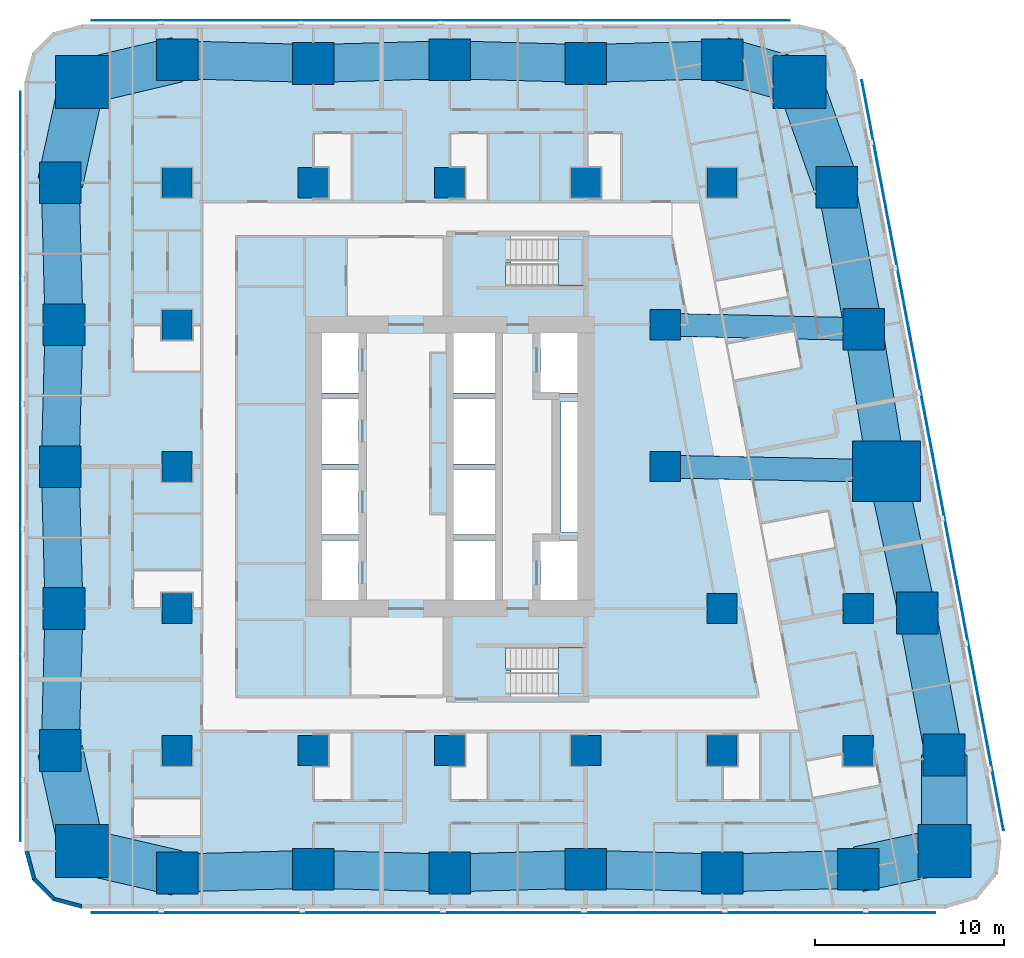
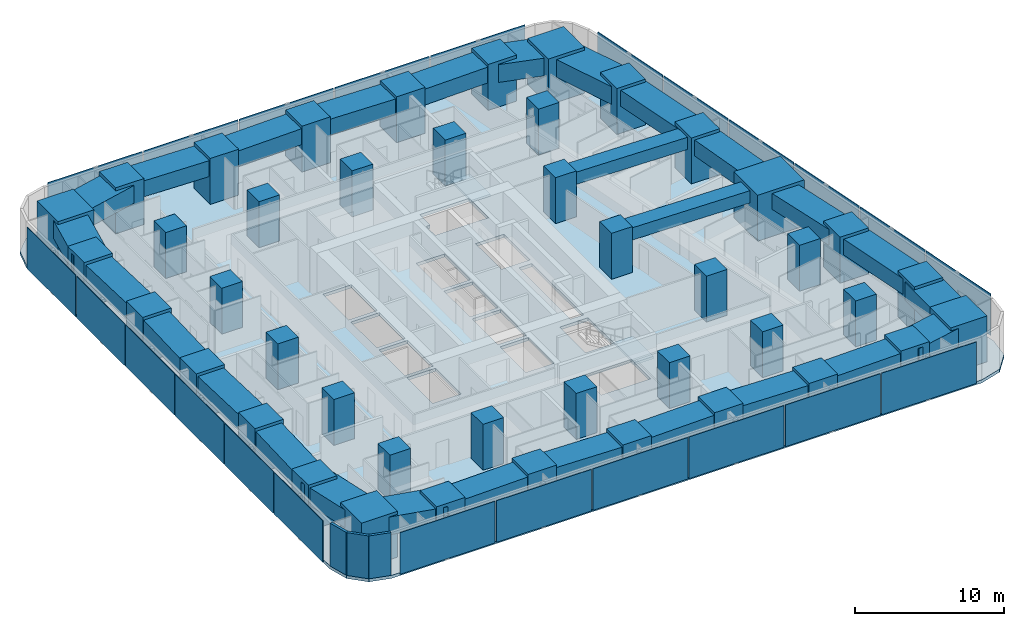
# One storey, part 1 of 17: 43 columns, 27 beams, 23 plates, 3 slabs, 3 walls, 2 elements without a shape of their own.
"""IFC4 building model written with IfcOpenShell, lengths in metres."""

from ifc_helpers import new_model, si_unit, direction, frame, frame_2d, origin, origin_2d, place, context, subcontext, project, spatial, polyline, rectangle, outline, extrude, material, layer, layer_set, material_profile, profile_set, type_object, element, aggregate, save


model = new_model("IFC4")

# Units and contexts
model_context = context("Model", 3, precision=1e-05, world=origin(), true_north=direction((0.0, 1.0)))
body_context = subcontext(model_context, "Body", "Model", "MODEL_VIEW")
ifc_project = project(units=[si_unit("LENGTHUNIT", "METRE"), si_unit("AREAUNIT", "SQUARE_METRE"), si_unit("VOLUMEUNIT", "CUBIC_METRE"), si_unit("PLANEANGLEUNIT", "RADIAN"), si_unit("MASSUNIT", "GRAM", prefix="KILO")], contexts=[model_context])

# Site, building, storey
site_placement = place(None, origin())
site = spatial("IfcSite", under=ifc_project, at=site_placement, CompositionType="ELEMENT")
building_placement = place(site_placement, origin())
building = spatial("IfcBuilding", under=site, at=building_placement, Name="Sheger Commons Tower", CompositionType="ELEMENT")
storey_placement = place(building_placement, frame((0.0, 0.0, 115.39990234375)))
storey = spatial("IfcBuildingStorey", under=building, at=storey_placement, Name="L29", CompositionType="ELEMENT", Elevation=115.39990234375)

# Columns
ifc_material_1 = material(Name="Concrete C50/60", Category="concrete")
ifc_material_profile_1 = material_profile(ifc_material_1, rectangle(XDim=3.60009765625, YDim=3.199951171875, at=origin_2d()), Name="RC 3600x3200")
ifc_profile_set_1 = profile_set([ifc_material_profile_1], Name="Concrete C50/60")
column_type_1 = type_object("IfcColumnType", Name="COLUMN PIER RC 3600x3200", PredefinedType="COLUMN", material=ifc_profile_set_1)
column_placement = place(storey_placement, frame((44.697021484375, 22.262939453125, 0.0), z_axis=(0.0, 0.0, 1.0), x_axis=(1.0, 0.0, 0.0)))
element("IfcColumn", 1, at=column_placement, inside=storey, type_object=column_type_1, Name="Pier 7/D+E/D L29", PredefinedType="COLUMN", context=body_context, shape_type="SweptSolid", body=[
    extrude(rectangle(XDim=3.60009765625, YDim=3.199951171875, at=origin_2d()), origin(), (0.0, 0.0, 1.0), 3.75),
])
ifc_material_2 = material(Name="Concrete C50/60", Category="concrete")
ifc_material_profile_2 = material_profile(ifc_material_2, rectangle(XDim=1.60009765625, YDim=1.60009765625, at=origin_2d()), Name="RC 1600x1600")
ifc_profile_set_2 = profile_set([ifc_material_profile_2], Name="Concrete C50/60")
column_type_2 = type_object("IfcColumnType", Name="COLUMN RC 1600x1600", PredefinedType="COLUMN", material=ifc_profile_set_2)
for number, where, z_axis, x_axis, name in (
    (2, (7.199951171875, 7.5, 0.0), (0.0, 0.0, 1.0), (1.0, 0.0, 0.0), "Column 2/B L29"),
    (3, (14.39990234375, 7.5, 0.0), (0.0, 0.0, 1.0), (1.0, 0.0, 0.0), "Column 3/B L29"),
    (4, (21.60009765625, 7.5, 0.0), (0.0, 0.0, 1.0), (1.0, 0.0, 0.0), "Column 4/B L29"),
    (5, (28.800048828125, 7.5, 0.0), (0.0, 0.0, 1.0), (1.0, 0.0, 0.0), "Column 5/B L29"),
    (6, (36.0, 7.5, 0.0), (0.0, 0.0, 1.0), (1.0, 0.0, 0.0), "Column 6/B L29"),
    (7, (43.199951171875, 7.5, 0.0), (0.0, 0.0, 1.0), (1.0, 0.0, 0.0), "Column 7/B L29"),
    (8, (7.199951171875, 15.0, 0.0), (0.0, 0.0, 1.0), (1.0, 0.0, 0.0), "Column 2/C L29"),
    (9, (36.0, 15.0, 0.0), (0.0, 0.0, 1.0), (1.0, 0.0, 0.0), "Column 6/C L29"),
    (10, (43.199951171875, 15.0, 0.0), (0.0, 0.0, 1.0), (1.0, 0.0, 0.0), "Column 7/C L29"),
    (11, (7.199951171875, 22.5, 0.0), (0.0, 0.0, 1.0), (1.0, 0.0, 0.0), "Column 2/D L29"),
    (12, (33.0, 22.5, 0.0), (0.0, 0.0, 1.0), (1.0, 0.0, 0.0), "Column 6-3000/D L29"),
    (13, (7.199951171875, 30.0, 0.0), (0.0, 0.0, 1.0), (1.0, 0.0, 0.0), "Column 2/E L29"),
    (14, (33.0, 30.0, 0.0), (0.0, 0.0, 1.0), (1.0, 0.0, 0.0), "Column 6-3000/E L29"),
    (15, (7.199951171875, 37.5, 0.0), (0.0, 0.0, 1.0), (1.0, 0.0, 0.0), "Column 2/F L29"),
    (16, (14.39990234375, 37.5, 0.0), (0.0, 0.0, 1.0), (1.0, 0.0, 0.0), "Column 3/F L29"),
    (17, (21.60009765625, 37.5, 0.0), (0.0, 0.0, 1.0), (1.0, 0.0, 0.0), "Column 4/F L29"),
    (18, (28.800048828125, 37.5, 0.0), (0.0, 0.0, 1.0), (1.0, 0.0, 0.0), "Column 5/F L29"),
    (19, (36.0, 37.5, 0.0), (0.0, 0.0, 1.0), (1.0, 0.0, 0.0), "Column 6/F L29"),
):
    element("IfcColumn", number, at=place(storey_placement, frame(where, z_axis=z_axis, x_axis=x_axis)), inside=storey, type_object=column_type_2, Name=name, PredefinedType="COLUMN", context=body_context, shape_type="SweptSolid", body=[
        extrude(rectangle(XDim=1.60009765625, YDim=1.60009765625, at=origin_2d()), origin(), (0.0, 0.0, 1.0), 3.75),
    ])
ifc_material_3 = material(Name="Concrete C50/60", Category="concrete")
ifc_material_profile_3 = material_profile(ifc_material_3, rectangle(XDim=2.199951171875, YDim=2.199951171875, at=origin_2d()), Name="RC 2200x2200")
ifc_profile_set_3 = profile_set([ifc_material_profile_3], Name="Concrete C50/60")
column_type_3 = type_object("IfcColumnType", Name="COLUMN RC 2200x2200", PredefinedType="COLUMN", material=ifc_profile_set_3)
for number, where, z_axis, x_axis, name in (
    (20, (7.199951171875, 1.02490234375, 0.0), (0.0, 0.0, 1.0), (1.0, 0.0, 0.0), "Column 2/A L29"),
    (21, (14.39990234375, 1.22509765625, 0.0), (0.0, 0.0, 1.0), (1.0, 0.0, 0.0), "Column 3/A L29"),
    (22, (21.60009765625, 1.02490234375, 0.0), (0.0, 0.0, 1.0), (1.0, 0.0, 0.0), "Column 4/A L29"),
    (23, (28.800048828125, 1.22509765625, 0.0), (0.0, 0.0, 1.0), (1.0, 0.0, 0.0), "Column 5/A L29"),
    (24, (36.0, 1.02490234375, 0.0), (0.0, 0.0, 1.0), (1.0, 0.0, 0.0), "Column 6/A L29"),
    (25, (43.199951171875, 1.22509765625, 0.0), (0.0, 0.0, 1.0), (1.0, 0.0, 0.0), "Column 7/A L29"),
    (26, (1.02490234375, 7.5, 0.0), (0.0, 0.0, 1.0), (1.0, 0.0, 0.0), "Column 1/B L29"),
    (27, (47.72998046875, 7.262939453125, 0.0), (0.0, 0.0, 1.0), (1.0, 0.0, 0.0), "Column E/B L29"),
    (28, (1.22509765625, 15.0, 0.0), (0.0, 0.0, 1.0), (1.0, 0.0, 0.0), "Column 1/C L29"),
    (29, (46.31396484375, 14.762939453125, 0.0), (0.0, 0.0, 1.0), (1.0, 0.0, 0.0), "Column E/C L29"),
    (30, (1.02490234375, 22.5, 0.0), (0.0, 0.0, 1.0), (1.0, 0.0, 0.0), "Column 1/D L29"),
    (31, (1.22509765625, 30.0, 0.0), (0.0, 0.0, 1.0), (1.0, 0.0, 0.0), "Column 1/E L29"),
    (32, (43.47998046875, 29.762939453125, 0.0), (0.0, 0.0, 1.0), (1.0, 0.0, 0.0), "Column E/E L29"),
    (33, (1.02490234375, 37.5, 0.0), (0.0, 0.0, 1.0), (1.0, 0.0, 0.0), "Column 1/F L29"),
    (34, (42.06396484375, 37.262939453125, 0.0), (0.0, 0.0, 1.0), (1.0, 0.0, 0.0), "Column E/F L29"),
    (35, (7.199951171875, 44.0, 0.0), (0.0, 0.0, 1.0), (1.0, 0.0, 0.0), "Column 2/G L29"),
    (36, (14.39990234375, 43.800048828125, 0.0), (0.0, 0.0, 1.0), (1.0, 0.0, 0.0), "Column 3/G L29"),
    (37, (21.60009765625, 44.0, 0.0), (0.0, 0.0, 1.0), (1.0, 0.0, 0.0), "Column 4/G L29"),
    (38, (28.800048828125, 43.800048828125, 0.0), (0.0, 0.0, 1.0), (1.0, 0.0, 0.0), "Column 5/G L29"),
    (39, (36.0, 44.0, 0.0), (0.0, 0.0, 1.0), (1.0, 0.0, 0.0), "Column 6/G L29"),
):
    element("IfcColumn", number, at=place(storey_placement, frame(where, z_axis=z_axis, x_axis=x_axis)), inside=storey, type_object=column_type_3, Name=name, PredefinedType="COLUMN", context=body_context, shape_type="SweptSolid", body=[
        extrude(rectangle(XDim=2.199951171875, YDim=2.199951171875, at=origin_2d()), origin(), (0.0, 0.0, 1.0), 3.75),
    ])
ifc_material_4 = material(Name="Concrete C50/60", Category="concrete")
ifc_material_profile_4 = material_profile(ifc_material_4, rectangle(XDim=2.800048828125, YDim=2.800048828125, at=origin_2d()), Name="RC 2800x2800")
ifc_profile_set_4 = profile_set([ifc_material_profile_4], Name="Concrete C50/60")
column_type_4 = type_object("IfcColumnType", Name="COLUMN RC 2800x2800", PredefinedType="COLUMN", material=ifc_profile_set_4)
for number, where, z_axis, x_axis, name in (
    (40, (2.18603515625, 2.18603515625, 0.0), (0.0, 0.0, 1.0), (1.0, 0.0, 0.0), "Column 0.630,0.630 L29"),
    (41, (47.748046875, 2.197021484375, 0.0), (0.0, 0.0, 1.0), (1.0, 0.0, 0.0), "Column 49.461,0.778 L29"),
    (42, (2.18603515625, 42.81396484375, 0.0), (0.0, 0.0, 1.0), (1.0, 0.0, 0.0), "Column 0.630,44.370 L29"),
    (43, (40.10205078125, 42.830078125, 0.0), (0.0, 0.0, 1.0), (1.0, 0.0, 0.0), "Column 41.490,44.505 L29"),
):
    element("IfcColumn", number, at=place(storey_placement, frame(where, z_axis=z_axis, x_axis=x_axis)), inside=storey, type_object=column_type_4, Name=name, PredefinedType="COLUMN", context=body_context, shape_type="SweptSolid", body=[
        extrude(rectangle(XDim=2.800048828125, YDim=2.800048828125, at=origin_2d()), origin(), (0.0, 0.0, 1.0), 3.75),
    ])

# Beams
ifc_material_5 = material(Name="Concrete C50/60", Category="concrete")
ifc_material_profile_5 = material_profile(ifc_material_5, rectangle(XDim=1.199951171875, YDim=1.0, at=origin_2d()), Name="RC 1200x1000")
ifc_profile_set_5 = profile_set([ifc_material_profile_5], Name="Concrete C50/60")
beam_type_1 = type_object("IfcBeamType", Name="BEAM RC 1200x1000", PredefinedType="BEAM", material=ifc_profile_set_5)
beam_1_placement = place(storey_placement, frame((33.0, 22.5, 3.0), z_axis=(0.999794692776, -0.02026258368, 0.0), x_axis=(0.02026258368, 0.999794692776, 0.0)))
element("IfcBeam", 44, at=beam_1_placement, inside=storey, type_object=beam_type_1, Name="Beam 6-3000/D-7/D under L30", PredefinedType="BEAM", context=body_context, shape_type="SweptSolid", body=[
    extrude(rectangle(XDim=1.199951171875, YDim=1.0, at=origin_2d()), origin(), (0.0, 0.0, 1.0), 11.699462890625),
])
beam_2_placement = place(storey_placement, frame((33.0, 30.0, 3.0), z_axis=(0.999744258625, -0.022614538395, 0.0), x_axis=(0.022614538395, 0.999744258625, 0.0)))
element("IfcBeam", 45, at=beam_2_placement, inside=storey, type_object=beam_type_1, Name="Beam 6-3000/E-E/E under L30", PredefinedType="BEAM", context=body_context, shape_type="SweptSolid", body=[
    extrude(rectangle(XDim=1.199951171875, YDim=1.0, at=origin_2d()), origin(), (0.0, 0.0, 1.0), 10.482666015625),
])
ifc_material_6 = material(Name="Concrete C50/60", Category="concrete")
ifc_material_profile_6 = material_profile(ifc_material_6, rectangle(XDim=2.0, YDim=1.300048828125, at=origin_2d()), Name="RC 2000x1300")
ifc_profile_set_6 = profile_set([ifc_material_profile_6], Name="Concrete C50/60")
beam_type_2 = type_object("IfcBeamType", Name="SPANDREL RC 2000x1300", PredefinedType="SPANDREL", material=ifc_profile_set_6)
beam_3_placement = place(storey_placement, frame((7.199951171875, 1.02490234375, 2.85009765625), z_axis=(0.9996136624, 0.027794350926, 0.0), x_axis=(-0.027794350926, 0.9996136624, 0.0)))
element("IfcBeam", 46, at=beam_3_placement, inside=storey, type_object=beam_type_2, Name="Beam 2/A-3/A under L30", PredefinedType="SPANDREL", context=body_context, shape_type="SweptSolid", body=[
    extrude(rectangle(XDim=2.0, YDim=1.300048828125, at=origin_2d()), origin(), (0.0, 0.0, 1.0), 7.20263671875),
])
beam_4_placement = place(storey_placement, frame((14.39990234375, 1.22509765625, 2.85009765625), z_axis=(0.999613688584, -0.027793409217, 0.0), x_axis=(0.027793409217, 0.999613688584, 0.0)))
element("IfcBeam", 47, at=beam_4_placement, inside=storey, type_object=beam_type_2, Name="Beam 3/A-4/A under L30", PredefinedType="SPANDREL", context=body_context, shape_type="SweptSolid", body=[
    extrude(rectangle(XDim=2.0, YDim=1.300048828125, at=origin_2d()), origin(), (0.0, 0.0, 1.0), 7.202880859375),
])
for number, where, z_axis, x_axis, name in (
    (48, (21.60009765625, 1.02490234375, 2.85009765625), (0.9996136624, 0.027794350926, 0.0), (-0.027794350926, 0.9996136624, 0.0), "Beam 4/A-5/A under L30"),
    (49, (28.800048828125, 1.22509765625, 2.85009765625), (0.9996136624, -0.027794350926, 0.0), (0.027794350926, 0.9996136624, 0.0), "Beam 5/A-6/A under L30"),
    (50, (36.0, 1.02490234375, 2.85009765625), (0.9996136624, 0.027794350926, 0.0), (-0.027794350926, 0.9996136624, 0.0), "Beam 6/A-7/A under L30"),
):
    element("IfcBeam", number, at=place(storey_placement, frame(where, z_axis=z_axis, x_axis=x_axis)), inside=storey, type_object=beam_type_2, Name=name, PredefinedType="SPANDREL", context=body_context, shape_type="SweptSolid", body=[
        extrude(rectangle(XDim=2.0, YDim=1.300048828125, at=origin_2d()), origin(), (0.0, 0.0, 1.0), 7.20263671875),
    ])
beam_5_placement = place(storey_placement, frame((47.72998046875, 7.262939453125, 2.85009765625), z_axis=(-0.18552441405, 0.982639655108, 0.0), x_axis=(-0.982639655108, -0.18552441405, 0.0)))
element("IfcBeam", 51, at=beam_5_placement, inside=storey, type_object=beam_type_2, Name="Beam E/B-E/C under L30", PredefinedType="SPANDREL", context=body_context, shape_type="SweptSolid", body=[
    extrude(rectangle(XDim=2.0, YDim=1.300048828125, at=origin_2d()), origin(), (0.0, 0.0, 1.0), 7.632568359375),
])
beam_6_placement = place(storey_placement, frame((46.31396484375, 14.762939453125, 2.85009765625), z_axis=(-0.210750229323, 0.977539943348, 0.0), x_axis=(-0.977539943348, -0.210750229323, 0.0)))
element("IfcBeam", 52, at=beam_6_placement, inside=storey, type_object=beam_type_2, Name="Beam E/C-E/D under L30", PredefinedType="SPANDREL", context=body_context, shape_type="SweptSolid", body=[
    extrude(rectangle(XDim=2.0, YDim=1.300048828125, at=origin_2d()), origin(), (0.0, 0.0, 1.0), 7.67236328125),
])
beam_7_placement = place(storey_placement, frame((44.697021484375, 22.262939453125, 2.85009765625), z_axis=(-0.160176929512, 0.987088319884, 0.0), x_axis=(-0.987088319884, -0.160176929512, 0.0)))
element("IfcBeam", 53, at=beam_7_placement, inside=storey, type_object=beam_type_2, Name="Beam E/D-E/E under L30", PredefinedType="SPANDREL", context=body_context, shape_type="SweptSolid", body=[
    extrude(rectangle(XDim=2.0, YDim=1.300048828125, at=origin_2d()), origin(), (0.0, 0.0, 1.0), 7.59814453125),
])
beam_8_placement = place(storey_placement, frame((43.47998046875, 29.762939453125, 2.85009765625), z_axis=(-0.18552441405, 0.982639655108, 0.0), x_axis=(-0.982639655108, -0.18552441405, 0.0)))
element("IfcBeam", 54, at=beam_8_placement, inside=storey, type_object=beam_type_2, Name="Beam E/E-E/F under L30", PredefinedType="SPANDREL", context=body_context, shape_type="SweptSolid", body=[
    extrude(rectangle(XDim=2.0, YDim=1.300048828125, at=origin_2d()), origin(), (0.0, 0.0, 1.0), 7.632568359375),
])
for number, where, z_axis, x_axis, name in (
    (55, (36.0, 44.0, 2.85009765625), (-0.999614603568, -0.027760481514, 0.0), (0.027760481514, -0.999614603568, 0.0), "Beam 6/G-5/G under L30"),
    (56, (28.800048828125, 43.800048828125, 2.85009765625), (-0.999614603568, 0.027760481514, 0.0), (-0.027760481514, -0.999614603568, 0.0), "Beam 5/G-4/G under L30"),
):
    element("IfcBeam", number, at=place(storey_placement, frame(where, z_axis=z_axis, x_axis=x_axis)), inside=storey, type_object=beam_type_2, Name=name, PredefinedType="SPANDREL", context=body_context, shape_type="SweptSolid", body=[
        extrude(rectangle(XDim=2.0, YDim=1.300048828125, at=origin_2d()), origin(), (0.0, 0.0, 1.0), 7.20263671875),
    ])
beam_9_placement = place(storey_placement, frame((21.60009765625, 44.0, 2.85009765625), z_axis=(-0.999614629688, -0.027759540951, 0.0), x_axis=(0.027759540951, -0.999614629688, 0.0)))
element("IfcBeam", 57, at=beam_9_placement, inside=storey, type_object=beam_type_2, Name="Beam 4/G-3/G under L30", PredefinedType="SPANDREL", context=body_context, shape_type="SweptSolid", body=[
    extrude(rectangle(XDim=2.0, YDim=1.300048828125, at=origin_2d()), origin(), (0.0, 0.0, 1.0), 7.202880859375),
])
beam_10_placement = place(storey_placement, frame((14.39990234375, 43.800048828125, 2.85009765625), z_axis=(-0.999614603568, 0.027760481514, 0.0), x_axis=(-0.027760481514, -0.999614603568, 0.0)))
element("IfcBeam", 58, at=beam_10_placement, inside=storey, type_object=beam_type_2, Name="Beam 3/G-2/G under L30", PredefinedType="SPANDREL", context=body_context, shape_type="SweptSolid", body=[
    extrude(rectangle(XDim=2.0, YDim=1.300048828125, at=origin_2d()), origin(), (0.0, 0.0, 1.0), 7.20263671875),
])
for number, where, z_axis, x_axis, name in (
    (59, (1.02490234375, 37.5, 2.85009765625), (0.026683204125, -0.999643939919, 0.0), (0.999643939919, 0.026683204125, 0.0), "Beam 1/F-1/E under L30"),
    (60, (1.22509765625, 30.0, 2.85009765625), (-0.026683204125, -0.999643939919, 0.0), (0.999643939919, -0.026683204125, 0.0), "Beam 1/E-1/D under L30"),
    (61, (1.02490234375, 22.5, 2.85009765625), (0.026683204125, -0.999643939919, 0.0), (0.999643939919, 0.026683204125, 0.0), "Beam 1/D-1/C under L30"),
    (62, (1.22509765625, 15.0, 2.85009765625), (-0.026683204125, -0.999643939919, 0.0), (0.999643939919, -0.026683204125, 0.0), "Beam 1/C-1/B under L30"),
):
    element("IfcBeam", number, at=place(storey_placement, frame(where, z_axis=z_axis, x_axis=x_axis)), inside=storey, type_object=beam_type_2, Name=name, PredefinedType="SPANDREL", context=body_context, shape_type="SweptSolid", body=[
        extrude(rectangle(XDim=2.0, YDim=1.300048828125, at=origin_2d()), origin(), (0.0, 0.0, 1.0), 7.502685546875),
    ])
ifc_material_7 = material(Name="Concrete C50/60", Category="concrete")
ifc_material_profile_7 = material_profile(ifc_material_7, rectangle(XDim=2.39990234375, YDim=1.449951171875, at=origin_2d()), Name="RC 2400x1450")
ifc_profile_set_7 = profile_set([ifc_material_profile_7], Name="Concrete C50/60")
beam_type_3 = type_object("IfcBeamType", Name="SPANDREL RC 2400x1450", PredefinedType="SPANDREL", material=ifc_profile_set_7)
beam_11_placement = place(storey_placement, frame((2.18603515625, 2.18603515625, 2.775146484375), z_axis=(0.974217413499, -0.225611239159, 0.0), x_axis=(0.225611239159, 0.974217413499, 0.0)))
element("IfcBeam", 63, at=beam_11_placement, inside=storey, type_object=beam_type_3, Name="Beam 0.630,0.630-2/A under L30", PredefinedType="SPANDREL", context=body_context, shape_type="SweptSolid", body=[
    extrude(rectangle(XDim=2.39990234375, YDim=1.449951171875, at=origin_2d()), origin(), (0.0, 0.0, 1.0), 5.146728515625),
])
beam_12_placement = place(storey_placement, frame((43.199951171875, 1.22509765625, 2.775146484375), z_axis=(0.977919796671, 0.208980552394, 0.0), x_axis=(-0.208980552394, 0.977919796671, 0.0)))
element("IfcBeam", 64, at=beam_12_placement, inside=storey, type_object=beam_type_3, Name="Beam 7/A-49.461,0.778 under L30", PredefinedType="SPANDREL", context=body_context, shape_type="SweptSolid", body=[
    extrude(rectangle(XDim=2.39990234375, YDim=1.449951171875, at=origin_2d()), origin(), (0.0, 0.0, 1.0), 4.65087890625),
])
beam_13_placement = place(storey_placement, frame((47.748046875, 2.197021484375, 2.775146484375), z_axis=(-0.003566242382, 0.999993640937, 0.0), x_axis=(-0.999993640937, -0.003566242382, 0.0)))
element("IfcBeam", 65, at=beam_13_placement, inside=storey, type_object=beam_type_3, Name="Beam 49.461,0.778-E/B under L30", PredefinedType="SPANDREL", context=body_context, shape_type="SweptSolid", body=[
    extrude(rectangle(XDim=2.39990234375, YDim=1.449951171875, at=origin_2d()), origin(), (0.0, 0.0, 1.0), 5.06591796875),
])
beam_14_placement = place(storey_placement, frame((42.06396484375, 37.262939453125, 2.775146484375), z_axis=(-0.332374403357, 0.943147526102, 0.0), x_axis=(-0.943147526102, -0.332374403357, 0.0)))
element("IfcBeam", 66, at=beam_14_placement, inside=storey, type_object=beam_type_3, Name="Beam E/F-41.490,44.505 under L30", PredefinedType="SPANDREL", context=body_context, shape_type="SweptSolid", body=[
    extrude(rectangle(XDim=2.39990234375, YDim=1.449951171875, at=origin_2d()), origin(), (0.0, 0.0, 1.0), 5.90283203125),
])
beam_15_placement = place(storey_placement, frame((40.10205078125, 42.830078125, 2.775146484375), z_axis=(-0.961653428129, 0.274267541221, 0.0), x_axis=(-0.274267541221, -0.961653428129, 0.0)))
element("IfcBeam", 67, at=beam_15_placement, inside=storey, type_object=beam_type_3, Name="Beam 41.490,44.505-6/G under L30", PredefinedType="SPANDREL", context=body_context, shape_type="SweptSolid", body=[
    extrude(rectangle(XDim=2.39990234375, YDim=1.449951171875, at=origin_2d()), origin(), (0.0, 0.0, 1.0), 4.265625),
])
beam_16_placement = place(storey_placement, frame((7.199951171875, 44.0, 2.775146484375), z_axis=(-0.97314428949, -0.230195985701, 0.0), x_axis=(0.230195985701, -0.97314428949, 0.0)))
element("IfcBeam", 68, at=beam_16_placement, inside=storey, type_object=beam_type_3, Name="Beam 2/G-0.630,44.370 under L30", PredefinedType="SPANDREL", context=body_context, shape_type="SweptSolid", body=[
    extrude(rectangle(XDim=2.39990234375, YDim=1.449951171875, at=origin_2d()), origin(), (0.0, 0.0, 1.0), 5.15234375),
])
for number, where, z_axis, x_axis, name in (
    (69, (2.18603515625, 42.81396484375, 2.775146484375), (-0.213469314652, -0.976949769283, 0.0), (0.976949769283, -0.213469314652, 0.0), "Beam 0.630,44.370-1/F under L30"),
    (70, (1.02490234375, 7.5, 2.775146484375), (0.213469314652, -0.976949769283, 0.0), (0.976949769283, 0.213469314652, 0.0), "Beam 1/B-0.630,0.630 under L30"),
):
    element("IfcBeam", number, at=place(storey_placement, frame(where, z_axis=z_axis, x_axis=x_axis)), inside=storey, type_object=beam_type_3, Name=name, PredefinedType="SPANDREL", context=body_context, shape_type="SweptSolid", body=[
        extrude(rectangle(XDim=2.39990234375, YDim=1.449951171875, at=origin_2d()), origin(), (0.0, 0.0, 1.0), 5.439453125),
    ])

# Slab
ifc_material_8 = material(Name="Concrete C35/45", Category="concrete")
ifc_layer_1 = layer(ifc_material_8, 0.25)
ifc_layer_set_1 = layer_set([ifc_layer_1], Name="SLAB FLOOR 250")
slab_type_1 = type_object("IfcSlabType", Name="SLAB FLOOR 250", PredefinedType="FLOOR", material=ifc_layer_set_1)
slab_1_placement = place(storey_placement, frame((0.0, 0.0, -0.25)))
element("IfcSlab", 71, at=slab_1_placement, inside=storey, type_object=slab_type_1, Name="L29 floor slab", PredefinedType="FLOOR", context=body_context, shape_type="SweptSolid", body=[
    extrude(outline(polyline([(-0.85009765625, 2.14990234375), (-0.447998046875, 0.64990234375), (0.64990234375, -0.447998046875), (2.14990234375, -0.85009765625), (47.805908203125, -0.85009765625), (49.465087890625, -0.35009765625), (50.570068359375, 0.98388671875), (50.75390625, 2.70703125), (43.06591796875, 43.406982421875), (42.509033203125, 44.660888671875), (41.452880859375, 45.535888671875), (40.117919921875, 45.85009765625), (2.14990234375, 45.85009765625), (0.64990234375, 45.447998046875), (-0.447998046875, 44.35009765625), (-0.85009765625, 42.85009765625), (-0.85009765625, 2.14990234375)]), holes=[polyline([(24.85009765625, 10.35009765625), (28.64990234375, 10.35009765625), (28.64990234375, 12.949951171875), (24.551025390625, 12.949951171875), (24.551025390625, 11.75), (24.85009765625, 11.75), (24.85009765625, 10.35009765625)]), polyline([(24.551025390625, 32.050048828125), (28.64990234375, 32.050048828125), (28.64990234375, 34.64990234375), (24.85009765625, 34.64990234375), (24.85009765625, 33.25), (24.551025390625, 33.25), (24.551025390625, 32.050048828125)]), polyline([(26.39990234375, 15.14990234375), (28.60009765625, 15.14990234375), (28.60009765625, 18.60009765625), (26.39990234375, 18.60009765625), (26.39990234375, 15.14990234375)]), polyline([(26.39990234375, 26.39990234375), (28.60009765625, 26.39990234375), (28.60009765625, 29.85009765625), (26.39990234375, 29.85009765625), (26.39990234375, 26.39990234375)]), polyline([(14.60009765625, 15.14990234375), (16.800048828125, 15.14990234375), (16.800048828125, 18.60009765625), (14.60009765625, 18.60009765625), (14.60009765625, 15.14990234375)]), polyline([(14.60009765625, 18.89990234375), (16.800048828125, 18.89990234375), (16.800048828125, 22.35009765625), (14.60009765625, 22.35009765625), (14.60009765625, 18.89990234375)]), polyline([(14.60009765625, 22.64990234375), (16.800048828125, 22.64990234375), (16.800048828125, 26.10009765625), (14.60009765625, 26.10009765625), (14.60009765625, 22.64990234375)]), polyline([(14.60009765625, 26.39990234375), (16.800048828125, 26.39990234375), (16.800048828125, 29.85009765625), (14.60009765625, 29.85009765625), (14.60009765625, 26.39990234375)]), polyline([(21.800048828125, 15.14990234375), (24.0, 15.14990234375), (24.0, 18.60009765625), (21.800048828125, 18.60009765625), (21.800048828125, 15.14990234375)]), polyline([(21.800048828125, 18.89990234375), (24.0, 18.89990234375), (24.0, 22.35009765625), (21.800048828125, 22.35009765625), (21.800048828125, 18.89990234375)]), polyline([(21.800048828125, 22.64990234375), (24.0, 22.64990234375), (24.0, 26.10009765625), (21.800048828125, 26.10009765625), (21.800048828125, 22.64990234375)]), polyline([(21.800048828125, 26.39990234375), (24.0, 26.39990234375), (24.0, 29.85009765625), (21.800048828125, 29.85009765625), (21.800048828125, 26.39990234375)]), polyline([(27.5, 19.050048828125), (28.5, 19.050048828125), (28.5, 25.949951171875), (27.5, 25.949951171875), (27.5, 19.050048828125)])]), origin(), (0.0, 0.0, 1.0), 0.25),
])

# Plates
ifc_material_9 = material(Name="Perforated black anodised aluminium screen", Category="aluminium")
ifc_layer_2 = layer(ifc_material_9, 0.050048828125)
ifc_layer_set_2 = layer_set([ifc_layer_2], Name="SOLAR SCREEN SCREEN-1")
plate_type = type_object("IfcPlateType", Name="SOLAR SCREEN SCREEN-1", PredefinedType="USERDEFINED", material=ifc_layer_set_2)
for number, where, z_axis, x_axis, name in (
    (72, (6.37109375, -1.074951171875, 0.050048828125), (0.0, 0.0, 1.0), (1.0, 0.0, 0.0), "Perforated solar screen panel"),
    (73, (13.81396484375, -1.074951171875, 0.050048828125), (0.0, 0.0, 1.0), (1.0, 0.0, 0.0), "Perforated solar screen panel"),
    (74, (21.257080078125, -1.074951171875, 0.050048828125), (0.0, 0.0, 1.0), (1.0, 0.0, 0.0), "Perforated solar screen panel"),
    (75, (28.698974609375, -1.074951171875, 0.050048828125), (0.0, 0.0, 1.0), (1.0, 0.0, 0.0), "Perforated solar screen panel"),
    (76, (36.14208984375, -1.074951171875, 0.050048828125), (0.0, 0.0, 1.0), (1.0, 0.0, 0.0), "Perforated solar screen panel"),
    (77, (43.5849609375, -1.074951171875, 0.050048828125), (0.0, 0.0, 1.0), (1.0, 0.0, 0.0), "Perforated solar screen panel"),
):
    element("IfcPlate", number, at=place(storey_placement, frame(where, z_axis=z_axis, x_axis=x_axis)), inside=storey, type_object=plate_type, Name=name, ObjectType="SCREEN", PredefinedType="USERDEFINED", context=body_context, shape_type="SweptSolid", body=[
        extrude(rectangle(XDim=7.343017578125, YDim=0.050048828125, at=origin_2d()), origin(), (0.0, 0.0, 1.0), 3.39990234375),
    ])
for number, where, z_axis, x_axis, name in (
    (78, (50.257080078125, 6.550048828125, 0.050048828125), (0.0, 0.0, 1.0), (-0.185615165645, 0.982622516678, 0.0), "Perforated solar screen panel"),
    (79, (49.007080078125, 13.1689453125, 0.050048828125), (0.0, 0.0, 1.0), (-0.185615165645, 0.982622516678, 0.0), "Perforated solar screen panel"),
    (80, (47.756103515625, 19.7890625, 0.050048828125), (0.0, 0.0, 1.0), (-0.185615165645, 0.982622516678, 0.0), "Perforated solar screen panel"),
    (81, (46.506103515625, 26.408935546875, 0.050048828125), (0.0, 0.0, 1.0), (-0.185615165645, 0.982622516678, 0.0), "Perforated solar screen panel"),
    (82, (45.2548828125, 33.028076171875, 0.050048828125), (0.0, 0.0, 1.0), (-0.185615165645, 0.982622516678, 0.0), "Perforated solar screen panel"),
    (83, (44.0048828125, 39.64794921875, 0.050048828125), (0.0, 0.0, 1.0), (-0.185615165645, 0.982622516678, 0.0), "Perforated solar screen panel"),
):
    element("IfcPlate", number, at=place(storey_placement, frame(where, z_axis=z_axis, x_axis=x_axis)), inside=storey, type_object=plate_type, Name=name, ObjectType="SCREEN", PredefinedType="USERDEFINED", context=body_context, shape_type="SweptSolid", body=[
        extrude(rectangle(XDim=6.636962890625, YDim=0.050048828125, at=origin_2d()), origin(), (0.0, 0.0, 1.0), 3.39990234375),
    ])
for number, where, z_axis, x_axis, name in (
    (84, (35.9208984375, 46.074951171875, 0.050048828125), (0.0, 0.0, 1.0), (-1.0, 0.0, 0.0), "Perforated solar screen panel"),
    (85, (28.528076171875, 46.074951171875, 0.050048828125), (0.0, 0.0, 1.0), (-1.0, 0.0, 0.0), "Perforated solar screen panel"),
    (86, (21.134033203125, 46.074951171875, 0.050048828125), (0.0, 0.0, 1.0), (-1.0, 0.0, 0.0), "Perforated solar screen panel"),
    (87, (13.739990234375, 46.074951171875, 0.050048828125), (0.0, 0.0, 1.0), (-1.0, 0.0, 0.0), "Perforated solar screen panel"),
    (88, (6.346923828125, 46.074951171875, 0.050048828125), (0.0, 0.0, 1.0), (-1.0, 0.0, 0.0), "Perforated solar screen panel"),
):
    element("IfcPlate", number, at=place(storey_placement, frame(where, z_axis=z_axis, x_axis=x_axis)), inside=storey, type_object=plate_type, Name=name, ObjectType="SCREEN", PredefinedType="USERDEFINED", context=body_context, shape_type="SweptSolid", body=[
        extrude(rectangle(XDim=7.2939453125, YDim=0.050048828125, at=origin_2d()), origin(), (0.0, 0.0, 1.0), 3.39990234375),
    ])
for number, where, z_axis, x_axis, name in (
    (89, (-1.074951171875, 39.0419921875, 0.050048828125), (0.0, 0.0, 1.0), (0.0, -1.0, 0.0), "Perforated solar screen panel"),
    (90, (-1.074951171875, 32.425048828125, 0.050048828125), (0.0, 0.0, 1.0), (0.0, -1.0, 0.0), "Perforated solar screen panel"),
    (91, (-1.074951171875, 25.80810546875, 0.050048828125), (0.0, 0.0, 1.0), (0.0, -1.0, 0.0), "Perforated solar screen panel"),
    (92, (-1.074951171875, 19.19189453125, 0.050048828125), (0.0, 0.0, 1.0), (0.0, -1.0, 0.0), "Perforated solar screen panel"),
    (93, (-1.074951171875, 12.574951171875, 0.050048828125), (0.0, 0.0, 1.0), (0.0, -1.0, 0.0), "Perforated solar screen panel"),
    (94, (-1.074951171875, 5.9580078125, 0.050048828125), (0.0, 0.0, 1.0), (0.0, -1.0, 0.0), "Perforated solar screen panel"),
):
    element("IfcPlate", number, at=place(storey_placement, frame(where, z_axis=z_axis, x_axis=x_axis)), inside=storey, type_object=plate_type, Name=name, ObjectType="SCREEN", PredefinedType="USERDEFINED", context=body_context, shape_type="SweptSolid", body=[
        extrude(rectangle(XDim=6.51708984375, YDim=0.050048828125, at=origin_2d()), origin(), (0.0, 0.0, 1.0), 3.39990234375),
    ])

# Stair, slab
ifc_material_10 = material(Name="Concrete C35/45", Category="concrete")
stair_type = type_object("IfcStairType", Name="HALF-TURN STAIR 1200 RISE 3750", PredefinedType="HALF_TURN_STAIR", material=ifc_material_10)
stair_1_placement = place(storey_placement, origin())
stair_1 = element("IfcStair", 95, at=stair_1_placement, inside=storey, type_object=stair_type, Name="Stair S1 L29", PredefinedType="HALF_TURN_STAIR")
ifc_material_11 = material(Name="Concrete C35/45", Category="concrete")
ifc_layer_3 = layer(ifc_material_11, 0.199951171875)
ifc_layer_set_3 = layer_set([ifc_layer_3], Name="STAIR LANDING 200")
slab_type_2 = type_object("IfcSlabType", Name="STAIR LANDING 200", PredefinedType="LANDING", material=ifc_layer_set_3)
slab_2_placement = place(storey_placement, frame((0.0, 0.0, 1.675048828125)))
slab_2 = element("IfcSlab", 96, at=slab_2_placement, type_object=slab_type_2, Name="S1 landing 1", PredefinedType="LANDING", context=body_context, shape_type="SweptSolid", body=[
    extrude(outline(polyline([(27.35009765625, 10.199951171875), (28.800048828125, 10.199951171875), (28.800048828125, 12.949951171875), (27.35009765625, 12.949951171875), (27.35009765625, 10.199951171875)])), origin(), (0.0, 0.0, 1.0), 0.199951171875),
])
aggregate(stair_1, [slab_2])

stair_2_placement = place(storey_placement, origin())
stair_2 = element("IfcStair", 97, at=stair_2_placement, inside=storey, type_object=stair_type, Name="Stair S2 L29", PredefinedType="HALF_TURN_STAIR")
slab_3_placement = place(storey_placement, frame((0.0, 0.0, 1.675048828125)))
slab_3 = element("IfcSlab", 98, at=slab_3_placement, type_object=slab_type_2, Name="S2 landing 1", PredefinedType="LANDING", context=body_context, shape_type="SweptSolid", body=[
    extrude(outline(polyline([(27.35009765625, 32.050048828125), (28.800048828125, 32.050048828125), (28.800048828125, 34.800048828125), (27.35009765625, 34.800048828125), (27.35009765625, 32.050048828125)])), origin(), (0.0, 0.0, 1.0), 0.199951171875),
])
aggregate(stair_2, [slab_3])

# Walls
ifc_material_12 = material(Name="Rendered concrete block masonry, dark grey", Category="masonry")
ifc_layer_4 = layer(ifc_material_12, 0.199951171875)
ifc_layer_set_4 = layer_set([ifc_layer_4], Name="FACADE WALL 200")
wall_type = type_object("IfcWallType", Name="FACADE WALL 200", PredefinedType="SOLIDWALL", material=ifc_layer_set_4)
wall_1_placement = place(storey_placement, frame((-0.75, 2.1630859375, 0.0), z_axis=(0.0, 0.0, 1.0), x_axis=(0.259168954497, -0.965832000415, 0.0)))
element("IfcWall", 99, at=wall_1_placement, inside=storey, type_object=wall_type, Name="Facade wall L29", PredefinedType="SOLIDWALL", context=body_context, shape_type="SweptSolid", body=[
    extrude(rectangle(XDim=1.512939453125, YDim=0.199951171875, at=frame_2d((0.75634765625, 0.0))), origin(), (0.0, 0.0, 1.0), 3.5),
])
wall_2_placement = place(storey_placement, frame((-0.35791015625, 0.701904296875, 0.0), z_axis=(0.0, 0.0, 1.0), x_axis=(0.707106781187, -0.707106781187, 0.0)))
element("IfcWall", 100, at=wall_2_placement, inside=storey, type_object=wall_type, Name="Facade wall L29", PredefinedType="SOLIDWALL", context=body_context, shape_type="SweptSolid", body=[
    extrude(rectangle(XDim=1.498779296875, YDim=0.199951171875, at=frame_2d((0.74951171875, 0.0))), origin(), (0.0, 0.0, 1.0), 3.5),
])
wall_3_placement = place(storey_placement, frame((0.701904296875, -0.35791015625, 0.0), z_axis=(0.0, 0.0, 1.0), x_axis=(0.965832000415, -0.259168954497, 0.0)))
element("IfcWall", 101, at=wall_3_placement, inside=storey, type_object=wall_type, Name="Facade wall L29", PredefinedType="SOLIDWALL", context=body_context, shape_type="SweptSolid", body=[
    extrude(rectangle(XDim=1.512939453125, YDim=0.199951171875, at=frame_2d((0.75634765625, 0.0))), origin(), (0.0, 0.0, 1.0), 3.5),
])

save(model, "model.ifc")
